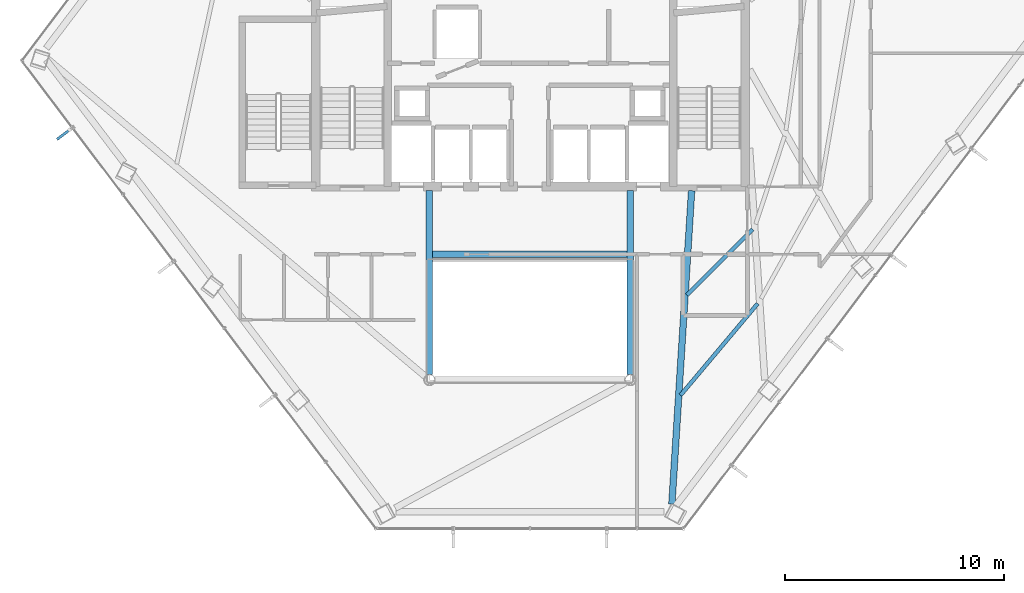
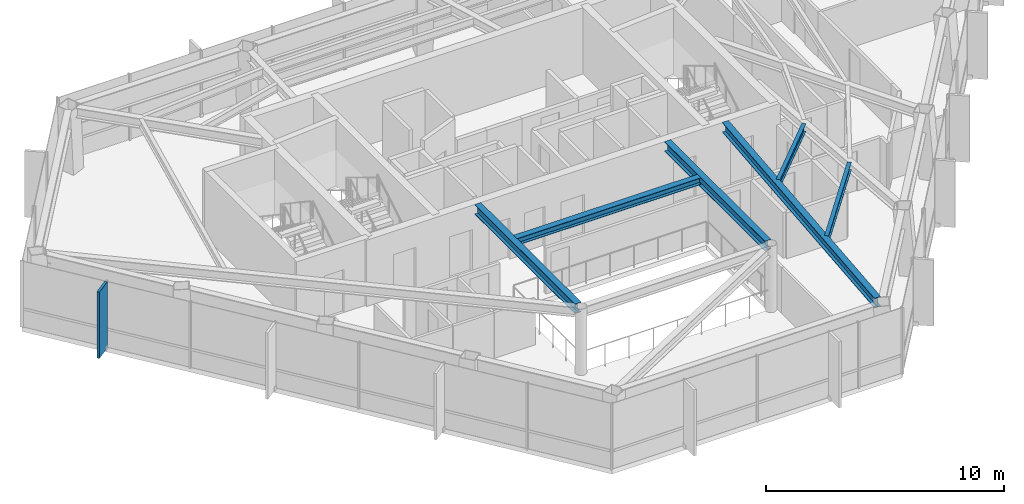
# One storey, part 8 of 28: 6 beams, 1 member, 1 element without a shape of its own.
"""IFC4 building model written with IfcOpenShell, lengths in metres."""

from ifc_helpers import new_model, si_unit, direction, frame, origin, origin_2d, place, context, subcontext, project, spatial, rectangle, i_section, extrude, material, layer, layer_set, material_profile, profile_set, type_object, element, aggregate, save


model = new_model("IFC4")

# Units and contexts
model_context = context("Model", 3, precision=1e-05, world=origin(), true_north=direction((0.0, 1.0)))
body_context = subcontext(model_context, "Body", "Model", "MODEL_VIEW")
ifc_project = project(units=[si_unit("LENGTHUNIT", "METRE"), si_unit("AREAUNIT", "SQUARE_METRE"), si_unit("VOLUMEUNIT", "CUBIC_METRE"), si_unit("PLANEANGLEUNIT", "RADIAN"), si_unit("MASSUNIT", "GRAM", prefix="KILO")], contexts=[model_context])

# Site, building, storey
site_placement = place(None, origin())
site = spatial("IfcSite", under=ifc_project, at=site_placement, CompositionType="ELEMENT")
building_placement = place(site_placement, origin())
building = spatial("IfcBuilding", under=site, at=building_placement, Name="Zarrinselat Tower", CompositionType="ELEMENT")
storey_placement = place(building_placement, frame((0.0, 0.0, 190.739990234375)))
storey = spatial("IfcBuildingStorey", under=building, at=storey_placement, Name="L47", CompositionType="ELEMENT", Elevation=190.739990234375)

# Beams
ifc_material_1 = material(Name="Steel S355J2", Category="steel")
ifc_material_profile_1 = material_profile(ifc_material_1, i_section(OverallWidth=0.300048828125, OverallDepth=0.35009765625, WebThickness=0.010009765625, FlangeThickness=0.017578125, at=origin_2d()), Name="HEA 360")
ifc_profile_set_1 = profile_set([ifc_material_profile_1], Name="Steel S355J2")
beam_type_1 = type_object("IfcBeamType", Name="BM-HEA360", PredefinedType="LINTEL", material=ifc_profile_set_1)
beam_1_placement = place(storey_placement, frame((33.93994140625, 30.14990234375, 3.215087890625), z_axis=(1.0, 0.0, 0.0), x_axis=(0.0, 1.0, 0.0)))
element("IfcBeam", 1, at=beam_1_placement, inside=storey, type_object=beam_type_1, Name="L47 Lift Lobby Ceiling Beam", PredefinedType="LINTEL", context=body_context, shape_type="SweptSolid", body=[
    extrude(i_section(OverallWidth=0.300048828125, OverallDepth=0.35009765625, WebThickness=0.010009765625, FlangeThickness=0.017578125, at=origin_2d()), origin(), (0.0, 0.0, 1.0), 8.920166015625),
])
ifc_material_2 = material(Name="Steel S355J2", Category="steel")
ifc_material_profile_2 = material_profile(ifc_material_2, i_section(OverallWidth=0.300048828125, OverallDepth=0.5, WebThickness=0.014404296875, FlangeThickness=0.028076171875, at=origin_2d()), Name="HEB 500")
ifc_profile_set_2 = profile_set([ifc_material_profile_2], Name="Steel S355J2")
beam_type_2 = type_object("IfcBeamType", Name="BM-HEB500", PredefinedType="BEAM", material=ifc_profile_set_2)
for number, where, z_axis, x_axis, name in (
    (2, (33.800048828125, 24.639892578125, 3.139892578125), (0.0, 1.0, 0.0), (-1.0, 0.0, 0.0), "L47 Atrium Edge Beam W"),
    (3, (43.0, 24.639892578125, 3.139892578125), (0.0, 1.0, 0.0), (-1.0, 0.0, 0.0), "L47 Atrium Edge Beam E"),
):
    element("IfcBeam", number, at=place(storey_placement, frame(where, z_axis=z_axis, x_axis=x_axis)), inside=storey, type_object=beam_type_2, Name=name, PredefinedType="BEAM", context=body_context, shape_type="SweptSolid", body=[
        extrude(i_section(OverallWidth=0.300048828125, OverallDepth=0.5, WebThickness=0.014404296875, FlangeThickness=0.028076171875, at=origin_2d()), origin(), (0.0, 0.0, 1.0), 8.420166015625),
    ])
beam_2_placement = place(storey_placement, frame((44.8955078125, 18.717041015625, 3.139892578125), z_axis=(0.062939865782, 0.99801732114, 0.0), x_axis=(-0.99801732114, 0.062939865782, 0.0)))
element("IfcBeam", 4, at=beam_2_placement, inside=storey, type_object=beam_type_2, Name="L47 Radial Primary Girder RG11", PredefinedType="BEAM", context=body_context, shape_type="SweptSolid", body=[
    extrude(i_section(OverallWidth=0.300048828125, OverallDepth=0.5, WebThickness=0.014404296875, FlangeThickness=0.028076171875, at=origin_2d()), origin(), (0.0, 0.0, 1.0), 14.37158203125),
])
ifc_material_3 = material(Name="Steel S355J2", Category="steel")
ifc_material_profile_3 = material_profile(ifc_material_3, i_section(OverallWidth=0.179931640625, OverallDepth=0.39990234375, WebThickness=0.008544921875, FlangeThickness=0.013427734375, at=origin_2d()), Name="IPE 400")
ifc_profile_set_3 = profile_set([ifc_material_profile_3], Name="Steel S355J2")
beam_type_3 = type_object("IfcBeamType", Name="BM-IPE400", PredefinedType="JOIST", material=ifc_profile_set_3)
beam_3_placement = place(storey_placement, frame((45.293212890625, 23.70068359375, 3.18994140625), z_axis=(0.644038299815, 0.764993247272, 0.0), x_axis=(-0.764993247272, 0.644038299815, 0.0)))
element("IfcBeam", 5, at=beam_3_placement, inside=storey, type_object=beam_type_3, Name="L47 Composite Floor Joist 3-1", PredefinedType="JOIST", context=body_context, shape_type="SweptSolid", body=[
    extrude(i_section(OverallWidth=0.179931640625, OverallDepth=0.39990234375, WebThickness=0.008544921875, FlangeThickness=0.013427734375, at=origin_2d()), origin(), (0.0, 0.0, 1.0), 5.47802734375),
])
beam_4_placement = place(storey_placement, frame((45.59130859375, 28.28271484375, 3.18994140625), z_axis=(0.705524924919, 0.708685106601, 0.0), x_axis=(-0.708685106601, 0.705524924919, 0.0)))
element("IfcBeam", 6, at=beam_4_placement, inside=storey, type_object=beam_type_3, Name="L47 Composite Floor Joist 3-2", PredefinedType="JOIST", context=body_context, shape_type="SweptSolid", body=[
    extrude(i_section(OverallWidth=0.179931640625, OverallDepth=0.39990234375, WebThickness=0.008544921875, FlangeThickness=0.013427734375, at=origin_2d()), origin(), (0.0, 0.0, 1.0), 4.2490234375),
])

# Curtain wall, member
ifc_material_4 = material(Name="Extruded Aluminium Alloy EN AW-6063 T6", Category="aluminium")
ifc_layer = layer(ifc_material_4, 0.175048828125)
ifc_layer_set = layer_set([ifc_layer], Name="Extruded Aluminium Alloy EN AW-6063 T6")
curtain_wall_type = type_object("IfcCurtainWallType", Name="CWS-HTL", PredefinedType="NOTDEFINED", material=ifc_layer_set)
curtain_wall_placement = place(storey_placement, origin())
curtain_wall = element("IfcCurtainWall", 7, at=curtain_wall_placement, inside=storey, type_object=curtain_wall_type, Name="L47 Unitised Curtain Wall CW-L47-E03", PredefinedType="NOTDEFINED")
ifc_material_5 = material(Name="Honed Cream Travertine Stone", Category="masonry")
ifc_material_profile_4 = material_profile(ifc_material_5, rectangle(XDim=0.1201171875, YDim=0.85009765625, at=origin_2d()), Name="FIN 850x120")
ifc_profile_set_4 = profile_set([ifc_material_profile_4], Name="Honed Cream Travertine Stone")
member_type = type_object("IfcMemberType", Name="MEM-STONE-FIN", PredefinedType="USERDEFINED", material=ifc_profile_set_4)
member_placement = place(storey_placement, frame((17.097900390625, 35.666015625, 0.0), z_axis=(0.0, 0.0, 1.0), x_axis=(-0.603857114659, 0.7970925825, 0.0)))
member = element("IfcMember", 8, at=member_placement, type_object=member_type, Name="L47 Stone Shading Fin CW-L47-E03-01", ObjectType="FIN", PredefinedType="USERDEFINED", context=body_context, shape_type="SweptSolid", body=[
    extrude(rectangle(XDim=0.1201171875, YDim=0.85009765625, at=origin_2d()), origin(), (0.0, 0.0, 1.0), 3.389892578125),
])
aggregate(curtain_wall, [member])

save(model, "model.ifc")
